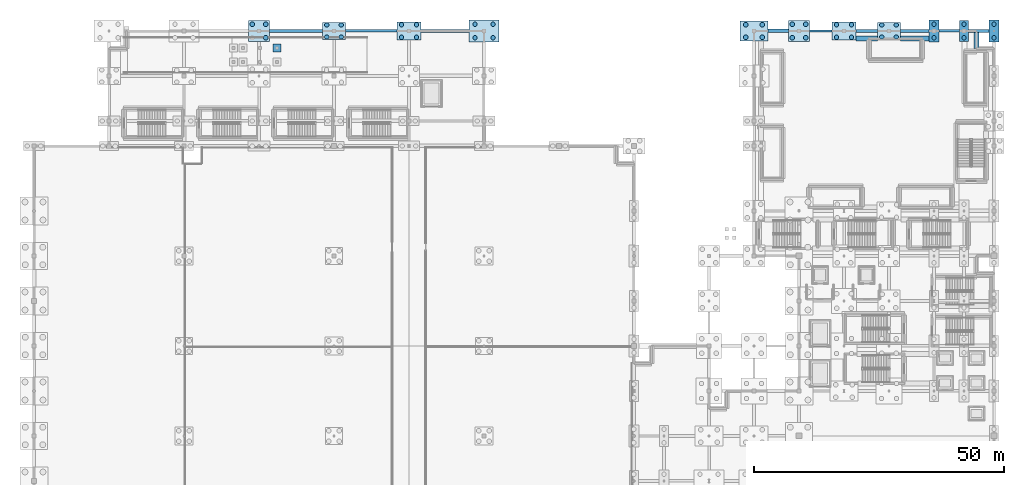
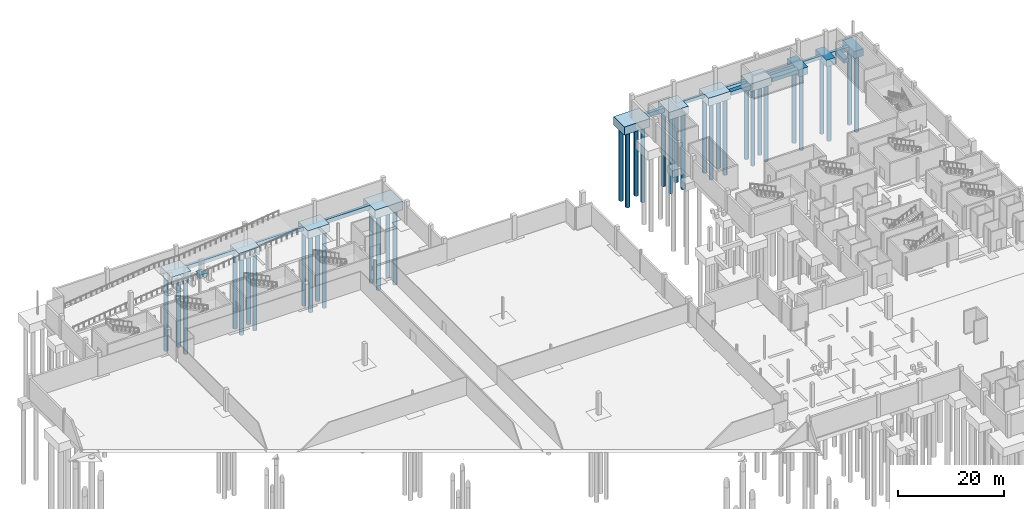
# One storey, part 11 of 58: 37 piles, 24 footings.
"""IFC4 building model written with IfcOpenShell, lengths in metres."""

from ifc_helpers import new_model, si_unit, direction, frame, origin, origin_2d, place, context, subcontext, project, spatial, rectangle, circle, extrude, material, material_profile, profile_set, type_object, element, save


model = new_model("IFC4")

# Units and contexts
model_context = context("Model", 3, precision=1e-05, world=origin(), true_north=direction((0.0, 1.0)))
body_context = subcontext(model_context, "Body", "Model", "MODEL_VIEW")
ifc_project = project(units=[si_unit("LENGTHUNIT", "METRE"), si_unit("AREAUNIT", "SQUARE_METRE"), si_unit("VOLUMEUNIT", "CUBIC_METRE"), si_unit("PLANEANGLEUNIT", "RADIAN"), si_unit("MASSUNIT", "GRAM", prefix="KILO")], contexts=[model_context])

# Site, building, storey
site_placement = place(None, origin())
site = spatial("IfcSite", under=ifc_project, at=site_placement, CompositionType="ELEMENT")
building_placement = place(site_placement, origin())
building = spatial("IfcBuilding", under=site, at=building_placement, Name="Qamarlyn Nura Convention Centre", CompositionType="ELEMENT")
storey_placement = place(building_placement, frame((0.0, 0.0, -5.39990234375)))
storey = spatial("IfcBuildingStorey", under=building, at=storey_placement, Name="B01", CompositionType="ELEMENT", Elevation=-5.39990234375)

# Footings
ifc_material = material(Name="Concrete C40/50", Category="concrete")
ifc_material_profile_1 = material_profile(ifc_material, rectangle(XDim=0.449951171875, YDim=0.75, at=origin_2d()), Name="RC GB 450x750")
ifc_profile_set_1 = profile_set([ifc_material_profile_1], Name="Concrete C40/50")
footing_type_1 = type_object("IfcFootingType", Name="GB-450X750", PredefinedType="FOOTING_BEAM", material=ifc_profile_set_1)
footing_1_placement = place(storey_placement, frame((155.10009765625, 126.0, -0.375), z_axis=(1.0, 0.0, 0.0), x_axis=(0.0, 1.0, 0.0)))
element("IfcFooting", 1, at=footing_1_placement, inside=storey, type_object=footing_type_1, Name="Ground tie beam Q 13-14", PredefinedType="FOOTING_BEAM", context=body_context, shape_type="SweptSolid", body=[
    extrude(rectangle(XDim=0.449951171875, YDim=0.75, at=origin_2d()), origin(), (0.0, 0.0, 1.0), 4.5),
])
ifc_material_profile_2 = material_profile(ifc_material, rectangle(XDim=0.5, YDim=0.800048828125, at=origin_2d()), Name="RC GB 500x800")
ifc_profile_set_2 = profile_set([ifc_material_profile_2], Name="Concrete C40/50")
footing_type_2 = type_object("IfcFootingType", Name="GB-500X800", PredefinedType="FOOTING_BEAM", material=ifc_profile_set_2)
footing_2_placement = place(storey_placement, frame((62.300048828125, 126.0, -0.400146484375), z_axis=(1.0, 0.0, 0.0), x_axis=(0.0, 1.0, 0.0)))
element("IfcFooting", 2, at=footing_2_placement, inside=storey, type_object=footing_type_2, Name="Ground tie beam Q 5-6", PredefinedType="FOOTING_BEAM", context=body_context, shape_type="SweptSolid", body=[
    extrude(rectangle(XDim=0.5, YDim=0.800048828125, at=origin_2d()), origin(), (0.0, 0.0, 1.0), 10.300048828125),
])
footing_3_placement = place(storey_placement, frame((181.0, 126.0, -0.400146484375), z_axis=(1.0, 0.0, 0.0), x_axis=(0.0, 1.0, 0.0)))
element("IfcFooting", 3, at=footing_3_placement, inside=storey, type_object=footing_type_2, Name="Ground tie beam Q 16-17", PredefinedType="FOOTING_BEAM", context=body_context, shape_type="SweptSolid", body=[
    extrude(rectangle(XDim=0.5, YDim=0.800048828125, at=origin_2d()), origin(), (0.0, 0.0, 1.0), 4.050048828125),
])
ifc_material_profile_3 = material_profile(ifc_material, rectangle(XDim=0.550048828125, YDim=0.85009765625, at=origin_2d()), Name="RC GB 550x850")
ifc_profile_set_3 = profile_set([ifc_material_profile_3], Name="Concrete C40/50")
footing_type_3 = type_object("IfcFootingType", Name="GB-550X850", PredefinedType="FOOTING_BEAM", material=ifc_profile_set_3)
footing_4_placement = place(storey_placement, frame((47.10009765625, 126.0, -0.425048828125), z_axis=(1.0, 0.0, 0.0), x_axis=(0.0, 1.0, 0.0)))
element("IfcFooting", 4, at=footing_4_placement, inside=storey, type_object=footing_type_3, Name="Ground tie beam Q 4-5", PredefinedType="FOOTING_BEAM", context=body_context, shape_type="SweptSolid", body=[
    extrude(rectangle(XDim=0.550048828125, YDim=0.85009765625, at=origin_2d()), origin(), (0.0, 0.0, 1.0), 10.599853515625),
])
footing_5_placement = place(storey_placement, frame((173.300048828125, 126.0, -0.425048828125), z_axis=(1.0, 0.0, 0.0), x_axis=(0.0, 1.0, 0.0)))
element("IfcFooting", 5, at=footing_5_placement, inside=storey, type_object=footing_type_3, Name="Ground tie beam Q 15-16", PredefinedType="FOOTING_BEAM", context=body_context, shape_type="SweptSolid", body=[
    extrude(rectangle(XDim=0.550048828125, YDim=0.85009765625, at=origin_2d()), origin(), (0.0, 0.0, 1.0), 5.699951171875),
])
ifc_material_profile_4 = material_profile(ifc_material, rectangle(XDim=0.60009765625, YDim=0.89990234375, at=origin_2d()), Name="RC GB 600x900")
ifc_profile_set_4 = profile_set([ifc_material_profile_4], Name="Concrete C40/50")
footing_type_4 = type_object("IfcFootingType", Name="GB-600X900", PredefinedType="FOOTING_BEAM", material=ifc_profile_set_4)
footing_6_placement = place(storey_placement, frame((164.39990234375, 126.0, -0.4501953125), z_axis=(1.0, 0.0, 0.0), x_axis=(0.0, 1.0, 0.0)))
element("IfcFooting", 6, at=footing_6_placement, inside=storey, type_object=footing_type_4, Name="Ground tie beam Q 14-15", PredefinedType="FOOTING_BEAM", context=body_context, shape_type="SweptSolid", body=[
    extrude(rectangle(XDim=0.60009765625, YDim=0.89990234375, at=origin_2d()), origin(), (0.0, 0.0, 1.0), 4.300048828125),
])
ifc_material_profile_5 = material_profile(ifc_material, rectangle(XDim=0.64990234375, YDim=0.949951171875, at=origin_2d()), Name="RC GB 650x950")
ifc_profile_set_5 = profile_set([ifc_material_profile_5], Name="Concrete C40/50")
footing_type_5 = type_object("IfcFootingType", Name="GB-650X950", PredefinedType="FOOTING_BEAM", material=ifc_profile_set_5)
footing_7_placement = place(storey_placement, frame((77.39990234375, 126.0, -0.47509765625), z_axis=(1.0, 0.0, 0.0), x_axis=(0.0, 1.0, 0.0)))
element("IfcFooting", 7, at=footing_7_placement, inside=storey, type_object=footing_type_5, Name="Ground tie beam Q 6-7", PredefinedType="FOOTING_BEAM", context=body_context, shape_type="SweptSolid", body=[
    extrude(rectangle(XDim=0.64990234375, YDim=0.949951171875, at=origin_2d()), origin(), (0.0, 0.0, 1.0), 9.60009765625),
])
footing_8_placement = place(storey_placement, frame((186.949951171875, 126.0, -0.47509765625), z_axis=(1.0, 0.0, 0.0), x_axis=(0.0, 1.0, 0.0)))
element("IfcFooting", 8, at=footing_8_placement, inside=storey, type_object=footing_type_5, Name="Ground tie beam Q 17-18", PredefinedType="FOOTING_BEAM", context=body_context, shape_type="SweptSolid", body=[
    extrude(rectangle(XDim=0.64990234375, YDim=0.949951171875, at=origin_2d()), origin(), (0.0, 0.0, 1.0), 4.050048828125),
])
ifc_material_profile_6 = material_profile(ifc_material, rectangle(XDim=0.699951171875, YDim=1.0, at=origin_2d()), Name="RC GB 700x1000")
ifc_profile_set_6 = profile_set([ifc_material_profile_6], Name="Concrete C40/50")
footing_type_6 = type_object("IfcFootingType", Name="GB-700X1000", PredefinedType="FOOTING_BEAM", material=ifc_profile_set_6)
footing_9_placement = place(storey_placement, frame((146.800048828125, 126.0, -0.5), z_axis=(1.0, 0.0, 0.0), x_axis=(0.0, 1.0, 0.0)))
element("IfcFooting", 9, at=footing_9_placement, inside=storey, type_object=footing_type_6, Name="Ground tie beam Q 12-13", PredefinedType="FOOTING_BEAM", context=body_context, shape_type="SweptSolid", body=[
    extrude(rectangle(XDim=0.699951171875, YDim=1.0, at=origin_2d()), origin(), (0.0, 0.0, 1.0), 4.099853515625),
])
footing_type_7 = type_object("IfcFootingType", Name="PC-CORE-56X40", PredefinedType="PILE_CAP", material=ifc_material)
footing_10_placement = place(storey_placement, frame((144.0, 126.0, -1.900146484375), z_axis=(0.0, 0.0, 1.0), x_axis=(1.0, 0.0, 0.0)))
element("IfcFooting", 10, at=footing_10_placement, inside=storey, type_object=footing_type_7, Name="Pile cap CAP-12-Q", PredefinedType="PILE_CAP", context=body_context, shape_type="SweptSolid", body=[
    extrude(rectangle(XDim=5.60009765625, YDim=4.0, at=origin_2d()), origin(), (0.0, 0.0, 1.0), 1.89990234375),
])
footing_type_8 = type_object("IfcFootingType", Name="PC-CORE-60X44", PredefinedType="PILE_CAP", material=ifc_material)
footing_11_placement = place(storey_placement, frame((90.0, 126.0, -2.0), z_axis=(0.0, 0.0, 1.0), x_axis=(1.0, 0.0, 0.0)))
element("IfcFooting", 11, at=footing_11_placement, inside=storey, type_object=footing_type_8, Name="Pile cap CAP-7-Q", PredefinedType="PILE_CAP", context=body_context, shape_type="SweptSolid", body=[
    extrude(rectangle(XDim=6.0, YDim=4.39990234375, at=origin_2d()), origin(), (0.0, 0.0, 1.0), 2.0),
])
footing_type_9 = type_object("IfcFootingType", Name="PC-PAIR-19X42", PredefinedType="PILE_CAP", material=ifc_material)
footing_12_placement = place(storey_placement, frame((186.0, 126.0, -1.55029296875), z_axis=(0.0, 0.0, 1.0), x_axis=(1.0, 0.0, 0.0)))
element("IfcFooting", 12, at=footing_12_placement, inside=storey, type_object=footing_type_9, Name="Pile cap CAP-17-Q", PredefinedType="PILE_CAP", context=body_context, shape_type="SweptSolid", body=[
    extrude(rectangle(XDim=1.89990234375, YDim=4.199951171875, at=origin_2d()), origin(), (0.0, 0.0, 1.0), 1.550048828125),
])
footing_type_10 = type_object("IfcFootingType", Name="PC-PAIR-20X44", PredefinedType="PILE_CAP", material=ifc_material)
for number, where, z_axis, x_axis, name in (
    (13, (180.0, 126.0, -1.650146484375), (0.0, 0.0, 1.0), (1.0, 0.0, 0.0), "Pile cap CAP-16-Q"),
    (14, (192.0, 126.0, -1.650146484375), (0.0, 0.0, 1.0), (1.0, 0.0, 0.0), "Pile cap CAP-18-Q"),
):
    element("IfcFooting", number, at=place(storey_placement, frame(where, z_axis=z_axis, x_axis=x_axis)), inside=storey, type_object=footing_type_10, Name=name, PredefinedType="PILE_CAP", context=body_context, shape_type="SweptSolid", body=[
        extrude(rectangle(XDim=2.0, YDim=4.39990234375, at=origin_2d()), origin(), (0.0, 0.0, 1.0), 1.64990234375),
    ])
footing_type_11 = type_object("IfcFootingType", Name="PC-RECT-46X34", PredefinedType="PILE_CAP", material=ifc_material)
for number, where, z_axis, x_axis, name in (
    (15, (60.0, 126.0, -1.75), (0.0, 0.0, 1.0), (1.0, 0.0, 0.0), "Pile cap CAP-5-Q"),
    (16, (171.0, 126.0, -1.75), (0.0, 0.0, 1.0), (1.0, 0.0, 0.0), "Pile cap CAP-15-Q"),
):
    element("IfcFooting", number, at=place(storey_placement, frame(where, z_axis=z_axis, x_axis=x_axis)), inside=storey, type_object=footing_type_11, Name=name, PredefinedType="PILE_CAP", context=body_context, shape_type="SweptSolid", body=[
        extrude(rectangle(XDim=4.60009765625, YDim=3.39990234375, at=origin_2d()), origin(), (0.0, 0.0, 1.0), 1.75),
    ])
footing_type_12 = type_object("IfcFootingType", Name="PC-RECT-48X36", PredefinedType="PILE_CAP", material=ifc_material)
for number, where, z_axis, x_axis, name in (
    (17, (75.0, 126.0, -1.80029296875), (0.0, 0.0, 1.0), (1.0, 0.0, 0.0), "Pile cap CAP-6-Q"),
    (18, (162.0, 126.0, -1.80029296875), (0.0, 0.0, 1.0), (1.0, 0.0, 0.0), "Pile cap CAP-14-Q"),
):
    element("IfcFooting", number, at=place(storey_placement, frame(where, z_axis=z_axis, x_axis=x_axis)), inside=storey, type_object=footing_type_12, Name=name, PredefinedType="PILE_CAP", context=body_context, shape_type="SweptSolid", body=[
        extrude(rectangle(XDim=4.800048828125, YDim=3.60009765625, at=origin_2d()), origin(), (0.0, 0.0, 1.0), 1.800048828125),
    ])
footing_type_13 = type_object("IfcFootingType", Name="PC-WING-42", PredefinedType="PILE_CAP", material=ifc_material)
for number, where, z_axis, x_axis, name in (
    (19, (45.0, 126.0, -1.75), (0.0, 0.0, 1.0), (1.0, 0.0, 0.0), "Pile cap CAP-4-Q"),
    (20, (153.0, 126.0, -1.75), (0.0, 0.0, 1.0), (1.0, 0.0, 0.0), "Pile cap CAP-13-Q"),
):
    element("IfcFooting", number, at=place(storey_placement, frame(where, z_axis=z_axis, x_axis=x_axis)), inside=storey, type_object=footing_type_13, Name=name, PredefinedType="PILE_CAP", context=body_context, shape_type="SweptSolid", body=[
        extrude(rectangle(XDim=4.199951171875, YDim=4.199951171875, at=origin_2d()), origin(), (0.0, 0.0, 1.0), 1.75),
    ])
footing_type_14 = type_object("IfcFootingType", Name="PF-MID-160", PredefinedType="PAD_FOOTING", material=ifc_material)
footing_13_placement = place(storey_placement, frame((48.60009765625, 122.60009765625, -0.900146484375), z_axis=(0.0, 0.0, 1.0), x_axis=(1.0, 0.0, 0.0)))
element("IfcFooting", 21, at=footing_13_placement, inside=storey, type_object=footing_type_14, Name="Ramp support pad footing 6", PredefinedType="PAD_FOOTING", context=body_context, shape_type="SweptSolid", body=[
    extrude(rectangle(XDim=1.60009765625, YDim=1.60009765625, at=origin_2d()), origin(), (0.0, 0.0, 1.0), 0.89990234375),
])

# Piles
ifc_material_profile_7 = material_profile(ifc_material, circle(Radius=0.449951171875, at=origin_2d()), Name="BORED PILE 900")
ifc_profile_set_7 = profile_set([ifc_material_profile_7], Name="Concrete C40/50")
pile_type = type_object("IfcPileType", Name="PILE-900", PredefinedType="BORED", material=ifc_profile_set_7)
for number, where, z_axis, x_axis, name in (
    (22, (46.35009765625, 124.64990234375, -1.60009765625), (0.0, 0.0, -1.0), (1.0, 0.0, 0.0), "Bored pile PILE-4-Q-2"),
    (23, (43.64990234375, 127.35009765625, -1.60009765625), (0.0, 0.0, -1.0), (1.0, 0.0, 0.0), "Bored pile PILE-4-Q-3"),
    (24, (46.35009765625, 127.35009765625, -1.60009765625), (0.0, 0.0, -1.0), (1.0, 0.0, 0.0), "Bored pile PILE-4-Q-4"),
    (25, (58.550048828125, 124.800048828125, -1.60009765625), (0.0, 0.0, -1.0), (1.0, 0.0, 0.0), "Bored pile PILE-5-Q-1"),
    (26, (61.449951171875, 124.800048828125, -1.60009765625), (0.0, 0.0, -1.0), (1.0, 0.0, 0.0), "Bored pile PILE-5-Q-2"),
    (27, (58.550048828125, 127.199951171875, -1.60009765625), (0.0, 0.0, -1.0), (1.0, 0.0, 0.0), "Bored pile PILE-5-Q-3"),
    (28, (61.449951171875, 127.199951171875, -1.60009765625), (0.0, 0.0, -1.0), (1.0, 0.0, 0.0), "Bored pile PILE-5-Q-4"),
):
    element("IfcPile", number, at=place(storey_placement, frame(where, z_axis=z_axis, x_axis=x_axis)), inside=storey, type_object=pile_type, Name=name, PredefinedType="BORED", context=body_context, shape_type="SweptSolid", body=[
        extrude(circle(Radius=0.449951171875, at=origin_2d()), origin(), (0.0, 0.0, 1.0), 17.5),
    ])
for number, where, z_axis, x_axis, name in (
    (29, (73.5, 124.75, -1.650146484375), (0.0, 0.0, -1.0), (1.0, 0.0, 0.0), "Bored pile PILE-6-Q-1"),
    (30, (76.5, 124.75, -1.650146484375), (0.0, 0.0, -1.0), (1.0, 0.0, 0.0), "Bored pile PILE-6-Q-2"),
    (31, (73.5, 127.25, -1.650146484375), (0.0, 0.0, -1.0), (1.0, 0.0, 0.0), "Bored pile PILE-6-Q-3"),
    (32, (76.5, 127.25, -1.650146484375), (0.0, 0.0, -1.0), (1.0, 0.0, 0.0), "Bored pile PILE-6-Q-4"),
):
    element("IfcPile", number, at=place(storey_placement, frame(where, z_axis=z_axis, x_axis=x_axis)), inside=storey, type_object=pile_type, Name=name, PredefinedType="BORED", context=body_context, shape_type="SweptSolid", body=[
        extrude(circle(Radius=0.449951171875, at=origin_2d()), origin(), (0.0, 0.0, 1.0), 17.449951171875),
    ])
for number, where, z_axis, x_axis, name in (
    (33, (88.199951171875, 124.64990234375, -1.85009765625), (0.0, 0.0, -1.0), (1.0, 0.0, 0.0), "Bored pile PILE-7-Q-1"),
    (34, (91.800048828125, 124.64990234375, -1.85009765625), (0.0, 0.0, -1.0), (1.0, 0.0, 0.0), "Bored pile PILE-7-Q-2"),
    (35, (88.199951171875, 127.35009765625, -1.85009765625), (0.0, 0.0, -1.0), (1.0, 0.0, 0.0), "Bored pile PILE-7-Q-3"),
    (36, (91.800048828125, 127.35009765625, -1.85009765625), (0.0, 0.0, -1.0), (1.0, 0.0, 0.0), "Bored pile PILE-7-Q-4"),
):
    element("IfcPile", number, at=place(storey_placement, frame(where, z_axis=z_axis, x_axis=x_axis)), inside=storey, type_object=pile_type, Name=name, PredefinedType="BORED", context=body_context, shape_type="SweptSolid", body=[
        extrude(circle(Radius=0.449951171875, at=origin_2d()), origin(), (0.0, 0.0, 1.0), 17.25),
    ])
for number, where, z_axis, x_axis, name in (
    (37, (142.35009765625, 124.75, -1.75), (0.0, 0.0, -1.0), (1.0, 0.0, 0.0), "Bored pile PILE-12-Q-1"),
    (38, (145.64990234375, 124.75, -1.75), (0.0, 0.0, -1.0), (1.0, 0.0, 0.0), "Bored pile PILE-12-Q-2"),
    (39, (142.35009765625, 127.25, -1.75), (0.0, 0.0, -1.0), (1.0, 0.0, 0.0), "Bored pile PILE-12-Q-3"),
    (40, (145.64990234375, 127.25, -1.75), (0.0, 0.0, -1.0), (1.0, 0.0, 0.0), "Bored pile PILE-12-Q-4"),
):
    element("IfcPile", number, at=place(storey_placement, frame(where, z_axis=z_axis, x_axis=x_axis)), inside=storey, type_object=pile_type, Name=name, PredefinedType="BORED", context=body_context, shape_type="SweptSolid", body=[
        extrude(circle(Radius=0.449951171875, at=origin_2d()), origin(), (0.0, 0.0, 1.0), 17.35009765625),
    ])
for number, where, z_axis, x_axis, name in (
    (41, (151.64990234375, 124.64990234375, -1.60009765625), (0.0, 0.0, -1.0), (1.0, 0.0, 0.0), "Bored pile PILE-13-Q-1"),
    (42, (154.35009765625, 124.64990234375, -1.60009765625), (0.0, 0.0, -1.0), (1.0, 0.0, 0.0), "Bored pile PILE-13-Q-2"),
    (43, (151.64990234375, 127.35009765625, -1.60009765625), (0.0, 0.0, -1.0), (1.0, 0.0, 0.0), "Bored pile PILE-13-Q-3"),
    (44, (154.35009765625, 127.35009765625, -1.60009765625), (0.0, 0.0, -1.0), (1.0, 0.0, 0.0), "Bored pile PILE-13-Q-4"),
):
    element("IfcPile", number, at=place(storey_placement, frame(where, z_axis=z_axis, x_axis=x_axis)), inside=storey, type_object=pile_type, Name=name, PredefinedType="BORED", context=body_context, shape_type="SweptSolid", body=[
        extrude(circle(Radius=0.449951171875, at=origin_2d()), origin(), (0.0, 0.0, 1.0), 17.5),
    ])
for number, where, z_axis, x_axis, name in (
    (45, (160.5, 124.75, -1.650146484375), (0.0, 0.0, -1.0), (1.0, 0.0, 0.0), "Bored pile PILE-14-Q-1"),
    (46, (163.5, 124.75, -1.650146484375), (0.0, 0.0, -1.0), (1.0, 0.0, 0.0), "Bored pile PILE-14-Q-2"),
    (47, (160.5, 127.25, -1.650146484375), (0.0, 0.0, -1.0), (1.0, 0.0, 0.0), "Bored pile PILE-14-Q-3"),
    (48, (163.5, 127.25, -1.650146484375), (0.0, 0.0, -1.0), (1.0, 0.0, 0.0), "Bored pile PILE-14-Q-4"),
):
    element("IfcPile", number, at=place(storey_placement, frame(where, z_axis=z_axis, x_axis=x_axis)), inside=storey, type_object=pile_type, Name=name, PredefinedType="BORED", context=body_context, shape_type="SweptSolid", body=[
        extrude(circle(Radius=0.449951171875, at=origin_2d()), origin(), (0.0, 0.0, 1.0), 17.449951171875),
    ])
for number, where, z_axis, x_axis, name in (
    (49, (169.550048828125, 124.800048828125, -1.60009765625), (0.0, 0.0, -1.0), (1.0, 0.0, 0.0), "Bored pile PILE-15-Q-1"),
    (50, (172.449951171875, 124.800048828125, -1.60009765625), (0.0, 0.0, -1.0), (1.0, 0.0, 0.0), "Bored pile PILE-15-Q-2"),
    (51, (169.550048828125, 127.199951171875, -1.60009765625), (0.0, 0.0, -1.0), (1.0, 0.0, 0.0), "Bored pile PILE-15-Q-3"),
    (52, (172.449951171875, 127.199951171875, -1.60009765625), (0.0, 0.0, -1.0), (1.0, 0.0, 0.0), "Bored pile PILE-15-Q-4"),
):
    element("IfcPile", number, at=place(storey_placement, frame(where, z_axis=z_axis, x_axis=x_axis)), inside=storey, type_object=pile_type, Name=name, PredefinedType="BORED", context=body_context, shape_type="SweptSolid", body=[
        extrude(circle(Radius=0.449951171875, at=origin_2d()), origin(), (0.0, 0.0, 1.0), 17.5),
    ])
for number, where, z_axis, x_axis, name in (
    (53, (180.0, 124.64990234375, -1.5), (0.0, 0.0, -1.0), (1.0, 0.0, 0.0), "Bored pile PILE-16-Q-1"),
    (54, (180.0, 127.35009765625, -1.5), (0.0, 0.0, -1.0), (1.0, 0.0, 0.0), "Bored pile PILE-16-Q-2"),
):
    element("IfcPile", number, at=place(storey_placement, frame(where, z_axis=z_axis, x_axis=x_axis)), inside=storey, type_object=pile_type, Name=name, PredefinedType="BORED", context=body_context, shape_type="SweptSolid", body=[
        extrude(circle(Radius=0.449951171875, at=origin_2d()), origin(), (0.0, 0.0, 1.0), 17.60009765625),
    ])
for number, where, z_axis, x_axis, name in (
    (55, (186.0, 124.64990234375, -1.400146484375), (0.0, 0.0, -1.0), (1.0, 0.0, 0.0), "Bored pile PILE-17-Q-1"),
    (56, (186.0, 127.35009765625, -1.400146484375), (0.0, 0.0, -1.0), (1.0, 0.0, 0.0), "Bored pile PILE-17-Q-2"),
):
    element("IfcPile", number, at=place(storey_placement, frame(where, z_axis=z_axis, x_axis=x_axis)), inside=storey, type_object=pile_type, Name=name, PredefinedType="BORED", context=body_context, shape_type="SweptSolid", body=[
        extrude(circle(Radius=0.449951171875, at=origin_2d()), origin(), (0.0, 0.0, 1.0), 17.699951171875),
    ])
for number, where, z_axis, x_axis, name in (
    (57, (192.0, 124.64990234375, -1.5), (0.0, 0.0, -1.0), (1.0, 0.0, 0.0), "Bored pile PILE-18-Q-1"),
    (58, (192.0, 127.35009765625, -1.5), (0.0, 0.0, -1.0), (1.0, 0.0, 0.0), "Bored pile PILE-18-Q-2"),
):
    element("IfcPile", number, at=place(storey_placement, frame(where, z_axis=z_axis, x_axis=x_axis)), inside=storey, type_object=pile_type, Name=name, PredefinedType="BORED", context=body_context, shape_type="SweptSolid", body=[
        extrude(circle(Radius=0.449951171875, at=origin_2d()), origin(), (0.0, 0.0, 1.0), 17.60009765625),
    ])

# Footings
ifc_material_profile_8 = material_profile(ifc_material, rectangle(XDim=1.0, YDim=0.89990234375, at=origin_2d()), Name="RC STRIP 1000x900")
ifc_profile_set_8 = profile_set([ifc_material_profile_8], Name="Concrete C40/50")
footing_type_15 = type_object("IfcFootingType", Name="SF-WALL-1000", PredefinedType="STRIP_FOOTING", material=ifc_profile_set_8)
footing_14_placement = place(storey_placement, frame((188.5, 126.0, -0.4501953125), z_axis=(0.0, -1.0, 0.0), x_axis=(1.0, 0.0, 0.0)))
element("IfcFooting", 59, at=footing_14_placement, inside=storey, type_object=footing_type_15, Name="Strip footing WRET-B01-59-1", PredefinedType="STRIP_FOOTING", context=body_context, shape_type="SweptSolid", body=[
    extrude(rectangle(XDim=1.0, YDim=0.89990234375, at=origin_2d()), origin(), (0.0, 0.0, 1.0), 3.5),
])
footing_15_placement = place(storey_placement, frame((179.0, 124.455078125, -0.4501953125), z_axis=(-1.0, 0.0, 0.0), x_axis=(0.0, -1.0, 0.0)))
element("IfcFooting", 60, at=footing_15_placement, inside=storey, type_object=footing_type_15, Name="Strip footing WST-ST-VOM5-B01-N-1", PredefinedType="STRIP_FOOTING", context=body_context, shape_type="SweptSolid", body=[
    extrude(rectangle(XDim=1.0, YDim=0.89990234375, at=origin_2d()), origin(), (0.0, 0.0, 1.0), 5.699951171875),
])
footing_16_placement = place(storey_placement, frame((168.699951171875, 124.455078125, -0.4501953125), z_axis=(-1.0, 0.0, 0.0), x_axis=(0.0, -1.0, 0.0)))
element("IfcFooting", 61, at=footing_16_placement, inside=storey, type_object=footing_type_15, Name="Strip footing WST-ST-VOM5-B01-N-2", PredefinedType="STRIP_FOOTING", context=body_context, shape_type="SweptSolid", body=[
    extrude(rectangle(XDim=1.0, YDim=0.89990234375, at=origin_2d()), origin(), (0.0, 0.0, 1.0), 4.300048828125),
])

save(model, "model.ifc")
